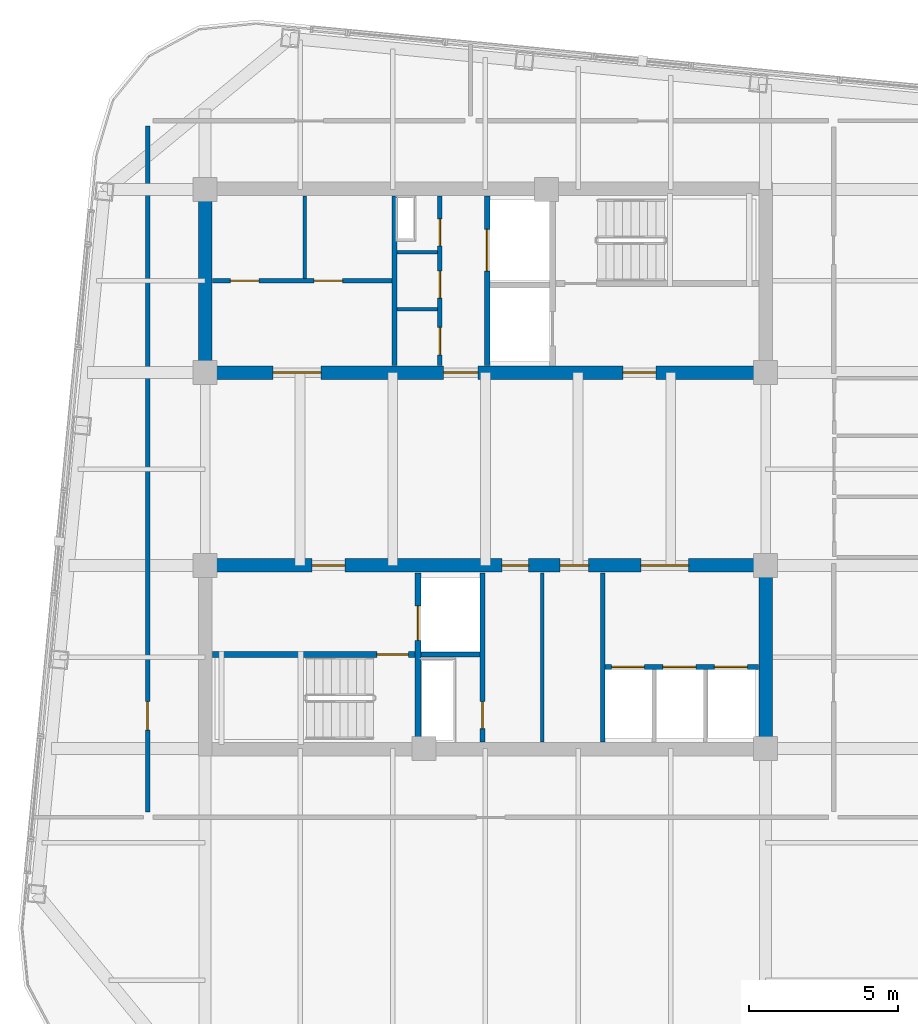
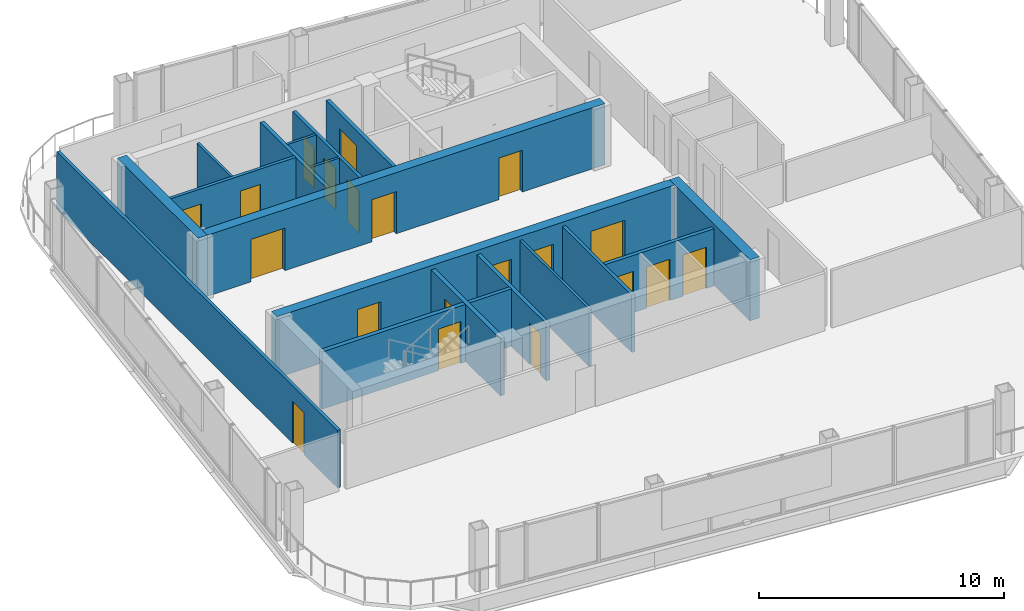
# One storey, part 17 of 22: 20 doors, 19 walls, 20 openings.
"""IFC4 building model written with IfcOpenShell, lengths in metres."""

from ifc_helpers import new_model, si_unit, direction, frame, frame_2d, origin, place, context, subcontext, project, spatial, rectangle, extrude, material, layer, layer_set, type_object, element, fill, save


model = new_model("IFC4")

# Units and contexts
model_context = context("Model", 3, precision=1e-05, world=origin(), true_north=direction((0.0, 1.0)))
body_context = subcontext(model_context, "Body", "Model", "MODEL_VIEW")
ifc_project = project(units=[si_unit("LENGTHUNIT", "METRE"), si_unit("AREAUNIT", "SQUARE_METRE"), si_unit("VOLUMEUNIT", "CUBIC_METRE"), si_unit("PLANEANGLEUNIT", "RADIAN"), si_unit("MASSUNIT", "GRAM", prefix="KILO")], contexts=[model_context])

# Site, building, storey
site_placement = place(None, origin())
site = spatial("IfcSite", under=ifc_project, at=site_placement, CompositionType="ELEMENT")
building_placement = place(site_placement, origin())
building = spatial("IfcBuilding", under=site, at=building_placement, Name="Qhalaya Broadcast Tower", CompositionType="ELEMENT")
storey_placement = place(building_placement, frame((0.0, 0.0, 245.89990234375)))
storey = spatial("IfcBuildingStorey", under=building, at=storey_placement, Name="L72", CompositionType="ELEMENT", Elevation=245.89990234375)

# Wall, openings, doors
ifc_material_1 = material(Name="Gypsum Acoustic Partition")
ifc_layer_1 = layer(ifc_material_1, 0.14990234375, Name="Gypsum Acoustic Partition")
ifc_layer_set_1 = layer_set([ifc_layer_1], Name="Gypsum Acoustic Partition")
wall_type_1 = type_object("IfcWallType", Name="Corridor & Tenancy Acoustic Partition 150", PredefinedType="PARTITIONING", material=ifc_layer_set_1)
wall_1_placement = place(storey_placement, frame((-1.52001953125, 4.070068359375, 0.0), z_axis=(0.0, 0.0, 1.0), x_axis=(0.0, 1.0, 0.0)))
wall_1 = element("IfcWall", 1, at=wall_1_placement, inside=storey, type_object=wall_type_1, Name="L72 Partition Wall NCW-SVL", PredefinedType="PARTITIONING", context=body_context, shape_type="SweptSolid", body=[
    extrude(rectangle(XDim=5.659912109375, YDim=0.14990234375, at=frame_2d((2.830078125, 0.0))), origin(), (0.0, 0.0, 1.0), 2.860107421875),
])
opening_1_placement = place(wall_1_placement, frame((4.0, 0.0, 0.0)))
opening_1 = element("IfcOpeningElement", 2, at=opening_1_placement, cuts=wall_1, Name="Opening D06", PredefinedType="OPENING", context=body_context, shape_type="SweptSolid", body=[
    extrude(rectangle(XDim=0.89990234375, YDim=2.050048828125, at=frame_2d((0.449951171875, 1.02490234375))), frame((0.0, 0.0869140625, 0.0), z_axis=(0.0, -1.0, 0.0), x_axis=(1.0, 0.0, 0.0)), (0.0, 0.0, 1.0), 0.173828125),
])
opening_2_placement = place(wall_1_placement, frame((2.25, 0.0, 0.0)))
opening_2 = element("IfcOpeningElement", 3, at=opening_2_placement, cuts=wall_1, Name="Opening D06", PredefinedType="OPENING", context=body_context, shape_type="SweptSolid", body=[
    extrude(rectangle(XDim=0.89990234375, YDim=2.050048828125, at=frame_2d((0.449951171875, 1.02490234375))), frame((0.0, 0.0869140625, 0.0), z_axis=(0.0, -1.0, 0.0), x_axis=(1.0, 0.0, 0.0)), (0.0, 0.0, 1.0), 0.173828125),
])
opening_3_placement = place(wall_1_placement, frame((0.35009765625, 0.0, 0.0)))
opening_3 = element("IfcOpeningElement", 4, at=opening_3_placement, cuts=wall_1, Name="Opening D12", PredefinedType="OPENING", context=body_context, shape_type="SweptSolid", body=[
    extrude(rectangle(XDim=0.919921875, YDim=2.10009765625, at=frame_2d((0.4599609375, 1.050048828125))), frame((0.0, 0.0869140625, 0.0), z_axis=(0.0, -1.0, 0.0), x_axis=(1.0, 0.0, 0.0)), (0.0, 0.0, 1.0), 0.173828125),
])
ifc_material_2 = material(Name="Timber Veneer Acoustic Door", Category="wood")
door_type_1 = type_object("IfcDoorType", Name="Accessible WC & Restroom Door D12", OperationType="NOTDEFINED", PredefinedType="DOOR", material=ifc_material_2)
door_1_placement = place(opening_3_placement, origin())
door_1 = element("IfcDoor", 5, at=door_1_placement, inside=storey, type_object=door_type_1, Name="L72 Door D-NCWC", OperationType="SINGLE_SWING_RIGHT", OverallHeight=2.10009765625, OverallWidth=0.919921875, PredefinedType="DOOR", context=body_context, shape_type="SweptSolid", body=[
    extrude(rectangle(XDim=0.919921875, YDim=2.10009765625, at=frame_2d((0.4599609375, 1.050048828125))), frame((0.0, 0.02490234375, 0.0), z_axis=(0.0, -1.0, 0.0), x_axis=(1.0, 0.0, 0.0)), (0.0, 0.0, 1.0), 0.050048828125),
])
fill(opening_3, door_1)
ifc_material_3 = material(Name="Fire-Rated Steel Door", Category="steel")
door_type_2 = type_object("IfcDoorType", Name="Riser & Electrical Shaft Access Door D06", OperationType="NOTDEFINED", PredefinedType="DOOR", material=ifc_material_3)
door_2_placement = place(opening_1_placement, origin())
door_2 = element("IfcDoor", 6, at=door_2_placement, inside=storey, type_object=door_type_2, Name="L72 Riser Shaft Access Door D-NRSR", OperationType="SINGLE_SWING_RIGHT", OverallHeight=2.050048828125, OverallWidth=0.89990234375, PredefinedType="DOOR", context=body_context, shape_type="SweptSolid", body=[
    extrude(rectangle(XDim=0.89990234375, YDim=2.050048828125, at=frame_2d((0.449951171875, 1.02490234375))), frame((0.0, 0.02490234375, 0.0), z_axis=(0.0, -1.0, 0.0), x_axis=(1.0, 0.0, 0.0)), (0.0, 0.0, 1.0), 0.050048828125),
])
fill(opening_1, door_2)
door_3_placement = place(opening_2_placement, origin())
door_3 = element("IfcDoor", 7, at=door_3_placement, inside=storey, type_object=door_type_2, Name="L72 Door D-NITR", OperationType="SINGLE_SWING_LEFT", OverallHeight=2.050048828125, OverallWidth=0.89990234375, PredefinedType="DOOR", context=body_context, shape_type="SweptSolid", body=[
    extrude(rectangle(XDim=0.89990234375, YDim=2.050048828125, at=frame_2d((0.449951171875, 1.02490234375))), frame((0.0, 0.02490234375, 0.0), z_axis=(0.0, -1.0, 0.0), x_axis=(1.0, 0.0, 0.0)), (0.0, 0.0, 1.0), 0.050048828125),
])
fill(opening_2, door_3)

wall_2_placement = place(storey_placement, frame((-9.1298828125, 6.89990234375, 0.0), z_axis=(0.0, 0.0, 1.0), x_axis=(1.0, 0.0, 0.0)))
wall_2 = element("IfcWall", 8, at=wall_2_placement, inside=storey, type_object=wall_type_1, Name="L72 Partition Wall NCW-REC1", PredefinedType="PARTITIONING", context=body_context, shape_type="SweptSolid", body=[
    extrude(rectangle(XDim=6.009765625, YDim=0.14990234375, at=frame_2d((3.0048828125, 0.0))), origin(), (0.0, 0.0, 1.0), 2.860107421875),
])
opening_4_placement = place(wall_2_placement, frame((0.60009765625, 0.0, 0.0)))
opening_4 = element("IfcOpeningElement", 9, at=opening_4_placement, cuts=wall_2, Name="Opening D10", PredefinedType="OPENING", context=body_context, shape_type="SweptSolid", body=[
    extrude(rectangle(XDim=0.949951171875, YDim=2.10009765625, at=frame_2d((0.47509765625, 1.050048828125))), frame((0.0, 0.0869140625, 0.0), z_axis=(0.0, -1.0, 0.0), x_axis=(1.0, 0.0, 0.0)), (0.0, 0.0, 1.0), 0.173828125),
])
opening_5_placement = place(wall_2_placement, frame((3.39990234375, 0.0, 0.0)))
opening_5 = element("IfcOpeningElement", 10, at=opening_5_placement, cuts=wall_2, Name="Opening D10", PredefinedType="OPENING", context=body_context, shape_type="SweptSolid", body=[
    extrude(rectangle(XDim=0.949951171875, YDim=2.10009765625, at=frame_2d((0.47509765625, 1.050048828125))), frame((0.0, 0.0869140625, 0.0), z_axis=(0.0, -1.0, 0.0), x_axis=(1.0, 0.0, 0.0)), (0.0, 0.0, 1.0), 0.173828125),
])
door_type_3 = type_object("IfcDoorType", Name="Cellular Office & Edit Booth Door D10", OperationType="NOTDEFINED", PredefinedType="DOOR", material=ifc_material_2)
door_4_placement = place(opening_4_placement, origin())
door_4 = element("IfcDoor", 11, at=door_4_placement, inside=storey, type_object=door_type_3, Name="L72 Door D-NREC1", OperationType="SINGLE_SWING_LEFT", OverallHeight=2.10009765625, OverallWidth=0.949951171875, PredefinedType="DOOR", context=body_context, shape_type="SweptSolid", body=[
    extrude(rectangle(XDim=0.949951171875, YDim=2.10009765625, at=frame_2d((0.47509765625, 1.050048828125))), frame((0.0, 0.02490234375, 0.0), z_axis=(0.0, -1.0, 0.0), x_axis=(1.0, 0.0, 0.0)), (0.0, 0.0, 1.0), 0.050048828125),
])
fill(opening_4, door_4)
door_5_placement = place(opening_5_placement, origin())
door_5 = element("IfcDoor", 12, at=door_5_placement, inside=storey, type_object=door_type_3, Name="L72 Door D-NREC2", OperationType="SINGLE_SWING_RIGHT", OverallHeight=2.10009765625, OverallWidth=0.949951171875, PredefinedType="DOOR", context=body_context, shape_type="SweptSolid", body=[
    extrude(rectangle(XDim=0.949951171875, YDim=2.10009765625, at=frame_2d((0.47509765625, 1.050048828125))), frame((0.0, 0.02490234375, 0.0), z_axis=(0.0, -1.0, 0.0), x_axis=(1.0, 0.0, 0.0)), (0.0, 0.0, 1.0), 0.050048828125),
])
fill(opening_5, door_5)

# Wall
wall_3_placement = place(storey_placement, frame((3.919921875, -8.530029296875, 0.0), z_axis=(0.0, 0.0, 1.0), x_axis=(0.0, 1.0, 0.0)))
element("IfcWall", 13, at=wall_3_placement, inside=storey, type_object=wall_type_1, Name="L72 Partition Wall SCW-HSEP", PredefinedType="PARTITIONING", context=body_context, shape_type="SweptSolid", body=[
    extrude(rectangle(XDim=5.659912109375, YDim=0.14990234375, at=frame_2d((2.830078125, 0.0))), origin(), (0.0, 0.0, 1.0), 2.860107421875),
])

# Wall, opening, door
wall_4_placement = place(storey_placement, frame((-11.300048828125, 12.070068359375, 0.0), z_axis=(0.0, 0.0, 1.0), x_axis=(0.0, -1.0, 0.0)))
wall_4 = element("IfcWall", 14, at=wall_4_placement, inside=storey, type_object=wall_type_1, Name="L72 Partition Wall W-COR-04", PredefinedType="PARTITIONING", context=body_context, shape_type="SweptSolid", body=[
    extrude(rectangle(XDim=22.940185546875, YDim=0.14990234375, at=frame_2d((11.47021484375, 0.0))), origin(), (0.0, 0.0, 1.0), 2.860107421875),
])
opening_6_placement = place(wall_4_placement, frame((19.2529296875, 0.0, 0.0)))
opening_6 = element("IfcOpeningElement", 15, at=opening_6_placement, cuts=wall_4, Name="Opening D10", PredefinedType="OPENING", context=body_context, shape_type="SweptSolid", body=[
    extrude(rectangle(XDim=0.949951171875, YDim=2.10009765625, at=frame_2d((0.47509765625, 1.050048828125))), frame((0.0, 0.0869140625, 0.0), z_axis=(0.0, -1.0, 0.0), x_axis=(1.0, 0.0, 0.0)), (0.0, 0.0, 1.0), 0.173828125),
])
door_6_placement = place(opening_6_placement, origin())
door_6 = element("IfcDoor", 16, at=door_6_placement, inside=storey, type_object=door_type_3, Name="L72 Door D-RM04", OperationType="SINGLE_SWING_LEFT", OverallHeight=2.10009765625, OverallWidth=0.949951171875, PredefinedType="DOOR", context=body_context, shape_type="SweptSolid", body=[
    extrude(rectangle(XDim=0.949951171875, YDim=2.10009765625, at=frame_2d((0.47509765625, 1.050048828125))), frame((0.0, 0.02490234375, 0.0), z_axis=(0.0, -1.0, 0.0), x_axis=(1.0, 0.0, 0.0)), (0.0, 0.0, 1.0), 0.050048828125),
])
fill(opening_6, door_6)

ifc_material_4 = material(Name="Concrete C50/60", Category="concrete")
ifc_layer_2 = layer(ifc_material_4, 0.199951171875, Name="Concrete C50/60")
ifc_layer_set_2 = layer_set([ifc_layer_2], Name="Concrete C50/60")
wall_type_2 = type_object("IfcWallType", Name="Load-Bearing Stair Shaft Wall 200", PredefinedType="SHEAR", material=ifc_layer_set_2)
wall_5_placement = place(storey_placement, frame((-9.1298828125, -5.60498046875, 0.0), z_axis=(0.0, 0.0, 1.0), x_axis=(1.0, 0.0, 0.0)))
wall_5 = element("IfcWall", 17, at=wall_5_placement, inside=storey, type_object=wall_type_2, Name="L72 Stair Core Shear Wall SCW-ST2", PredefinedType="SHEAR", context=body_context, shape_type="SweptSolid", body=[
    extrude(rectangle(XDim=6.769775390625, YDim=0.199951171875, at=frame_2d((3.384765625, 0.0))), origin(), (0.0, 0.0, 1.0), 2.860107421875),
])
opening_7_placement = place(wall_5_placement, frame((5.5, 0.0, 0.0)))
opening_7 = element("IfcOpeningElement", 18, at=opening_7_placement, cuts=wall_5, Name="Opening D03", PredefinedType="OPENING", context=body_context, shape_type="SweptSolid", body=[
    extrude(rectangle(XDim=1.050048828125, YDim=2.080078125, at=frame_2d((0.52490234375, 1.0400390625))), frame((0.0, 0.112060546875, 0.0), z_axis=(0.0, -1.0, 0.0), x_axis=(1.0, 0.0, 0.0)), (0.0, 0.0, 1.0), 0.223876953125),
])
door_type_4 = type_object("IfcDoorType", Name="Core Stair Protected Fire Door D03", OperationType="NOTDEFINED", PredefinedType="DOOR", material=ifc_material_3)
door_7_placement = place(opening_7_placement, origin())
door_7 = element("IfcDoor", 19, at=door_7_placement, inside=storey, type_object=door_type_4, Name="L72 Door D-SST2", OperationType="SINGLE_SWING_RIGHT", OverallHeight=2.080078125, OverallWidth=1.050048828125, PredefinedType="DOOR", context=body_context, shape_type="SweptSolid", body=[
    extrude(rectangle(XDim=1.050048828125, YDim=2.080078125, at=frame_2d((0.52490234375, 1.0400390625))), frame((0.0, 0.02490234375, 0.0), z_axis=(0.0, -1.0, 0.0), x_axis=(1.0, 0.0, 0.0)), (0.0, 0.0, 1.0), 0.050048828125),
])
fill(opening_7, door_7)

wall_6_placement = place(storey_placement, frame((-2.25, -8.530029296875, 0.0), z_axis=(0.0, 0.0, 1.0), x_axis=(0.0, 1.0, 0.0)))
wall_6 = element("IfcWall", 20, at=wall_6_placement, inside=storey, type_object=wall_type_2, Name="L72 Stair Core Shear Wall SCW-FF", PredefinedType="SHEAR", context=body_context, shape_type="SweptSolid", body=[
    extrude(rectangle(XDim=5.659912109375, YDim=0.199951171875, at=frame_2d((2.830078125, 0.0))), origin(), (0.0, 0.0, 1.0), 2.860107421875),
])
opening_8_placement = place(wall_6_placement, frame((3.39990234375, 0.0, 0.0)))
opening_8 = element("IfcOpeningElement", 21, at=opening_8_placement, cuts=wall_6, Name="Opening LD2", PredefinedType="OPENING", context=body_context, shape_type="SweptSolid", body=[
    extrude(rectangle(XDim=1.14990234375, YDim=2.080078125, at=frame_2d((0.574951171875, 1.0400390625))), frame((0.0, 0.112060546875, 0.0), z_axis=(0.0, -1.0, 0.0), x_axis=(1.0, 0.0, 0.0)), (0.0, 0.0, 1.0), 0.223876953125),
])
ifc_material_5 = material(Name="Brushed Stainless Steel Lift Door", Category="steel")
door_type_5 = type_object("IfcDoorType", Name="Firefighting Lift Sliding Landing Door LD2", OperationType="DOUBLE_DOOR_SLIDING", PredefinedType="DOOR", material=ifc_material_5)
door_8_placement = place(opening_8_placement, origin())
door_8 = element("IfcDoor", 22, at=door_8_placement, inside=storey, type_object=door_type_5, Name="L72 Door LD-FF2", OperationType="DOUBLE_DOOR_SLIDING", OverallHeight=2.080078125, OverallWidth=1.14990234375, PredefinedType="DOOR", context=body_context, shape_type="SweptSolid", body=[
    extrude(rectangle(XDim=1.14990234375, YDim=2.080078125, at=frame_2d((0.574951171875, 1.0400390625))), frame((0.0, 0.02490234375, 0.0), z_axis=(0.0, -1.0, 0.0), x_axis=(1.0, 0.0, 0.0)), (0.0, 0.0, 1.0), 0.050048828125),
])
fill(opening_8, door_8)

# Walls
ifc_layer_3 = layer(ifc_material_1, 0.1201171875, Name="Gypsum Acoustic Partition")
ifc_layer_set_3 = layer_set([ifc_layer_3], Name="Gypsum Acoustic Partition")
wall_type_3 = type_object("IfcWallType", Name="Office, Booth & Sanitary Partition 120", PredefinedType="PARTITIONING", material=ifc_layer_set_3)
for number, where, z_axis, x_axis, name in (
    (23, (-2.9599609375, 5.949951171875, 0.0), (0.0, 0.0, 1.0), (1.0, 0.0, 0.0), "L72 Partition Wall NCW-VB1"),
    (24, (-2.9599609375, 7.85009765625, 0.0), (0.0, 0.0, 1.0), (1.0, 0.0, 0.0), "L72 Partition Wall NCW-VB2"),
):
    element("IfcWall", number, at=place(storey_placement, frame(where, z_axis=z_axis, x_axis=x_axis)), inside=storey, type_object=wall_type_3, Name=name, PredefinedType="PARTITIONING", context=body_context, shape_type="SweptSolid", body=[
        extrude(rectangle(XDim=1.35986328125, YDim=0.1201171875, at=frame_2d((0.679931640625, 0.0))), origin(), (0.0, 0.0, 1.0), 2.860107421875),
    ])
wall_7_placement = place(storey_placement, frame((-6.050048828125, 6.97998046875, 0.0), z_axis=(0.0, 0.0, 1.0), x_axis=(0.0, 1.0, 0.0)))
element("IfcWall", 25, at=wall_7_placement, inside=storey, type_object=wall_type_3, Name="L72 Partition Wall NCW-REC2", PredefinedType="PARTITIONING", context=body_context, shape_type="SweptSolid", body=[
    extrude(rectangle(XDim=2.75, YDim=0.1201171875, at=frame_2d((1.375, 0.0))), origin(), (0.0, 0.0, 1.0), 2.860107421875),
])
wall_8_placement = place(storey_placement, frame((1.89990234375, -8.530029296875, 0.0), z_axis=(0.0, 0.0, 1.0), x_axis=(0.0, 1.0, 0.0)))
element("IfcWall", 26, at=wall_8_placement, inside=storey, type_object=wall_type_3, Name="L72 Partition Wall SCW-RKB", PredefinedType="PARTITIONING", context=body_context, shape_type="SweptSolid", body=[
    extrude(rectangle(XDim=5.659912109375, YDim=0.1201171875, at=frame_2d((2.830078125, 0.0))), origin(), (0.0, 0.0, 1.0), 2.860107421875),
])

# Wall, opening, door
ifc_layer_4 = layer(ifc_material_1, 0.175048828125, Name="Gypsum Acoustic Partition")
ifc_layer_set_4 = layer_set([ifc_layer_4], Name="Gypsum Acoustic Partition")
wall_type_4 = type_object("IfcWallType", Name="Shaft & Riser Fire Partition 175", PredefinedType="PARTITIONING", material=ifc_layer_set_4)
wall_9_placement = place(storey_placement, frame((0.06005859375, 4.070068359375, 0.0), z_axis=(0.0, 0.0, 1.0), x_axis=(0.0, 1.0, 0.0)))
wall_9 = element("IfcWall", 27, at=wall_9_placement, inside=storey, type_object=wall_type_4, Name="L72 Partition Wall NCW-SVW", PredefinedType="PARTITIONING", context=body_context, shape_type="SweptSolid", body=[
    extrude(rectangle(XDim=5.659912109375, YDim=0.175048828125, at=frame_2d((2.830078125, 0.0))), origin(), (0.0, 0.0, 1.0), 2.860107421875),
])
opening_9_placement = place(wall_9_placement, frame((3.14990234375, 0.0, 0.0)))
opening_9 = element("IfcOpeningElement", 28, at=opening_9_placement, cuts=wall_9, Name="Opening LD3", PredefinedType="OPENING", context=body_context, shape_type="SweptSolid", body=[
    extrude(rectangle(XDim=1.39990234375, YDim=2.1201171875, at=frame_2d((0.699951171875, 1.06005859375))), frame((0.0, 0.099609375, 0.0), z_axis=(0.0, -1.0, 0.0), x_axis=(1.0, 0.0, 0.0)), (0.0, 0.0, 1.0), 0.198974609375),
])
door_type_6 = type_object("IfcDoorType", Name="Service Lift Wide Sliding Landing Door LD3", OperationType="DOUBLE_DOOR_SLIDING", PredefinedType="DOOR", material=ifc_material_5)
door_9_placement = place(opening_9_placement, origin())
door_9 = element("IfcDoor", 29, at=door_9_placement, inside=storey, type_object=door_type_6, Name="L72 Door LD-SV1", OperationType="DOUBLE_DOOR_SLIDING", OverallHeight=2.1201171875, OverallWidth=1.39990234375, PredefinedType="DOOR", context=body_context, shape_type="SweptSolid", body=[
    extrude(rectangle(XDim=1.39990234375, YDim=2.1201171875, at=frame_2d((0.699951171875, 1.06005859375))), frame((0.0, 0.02490234375, 0.0), z_axis=(0.0, -1.0, 0.0), x_axis=(1.0, 0.0, 0.0)), (0.0, 0.0, 1.0), 0.050048828125),
])
fill(opening_9, door_9)

# Wall
wall_10_placement = place(storey_placement, frame((-3.0400390625, 4.070068359375, 0.0), z_axis=(0.0, 0.0, 1.0), x_axis=(0.0, 1.0, 0.0)))
element("IfcWall", 30, at=wall_10_placement, inside=storey, type_object=wall_type_4, Name="L72 Partition Wall NCW-VRW", PredefinedType="PARTITIONING", context=body_context, shape_type="SweptSolid", body=[
    extrude(rectangle(XDim=5.659912109375, YDim=0.175048828125, at=frame_2d((2.830078125, 0.0))), origin(), (0.0, 0.0, 1.0), 2.860107421875),
])

# Wall, opening, door
wall_11_placement = place(storey_placement, frame((-0.10009765625, -8.530029296875, 0.0), z_axis=(0.0, 0.0, 1.0), x_axis=(0.0, 1.0, 0.0)))
wall_11 = element("IfcWall", 31, at=wall_11_placement, inside=storey, type_object=wall_type_4, Name="L72 Partition Wall SCW-FFE", PredefinedType="PARTITIONING", context=body_context, shape_type="SweptSolid", body=[
    extrude(rectangle(XDim=5.659912109375, YDim=0.175048828125, at=frame_2d((2.830078125, 0.0))), origin(), (0.0, 0.0, 1.0), 2.860107421875),
])
opening_10_placement = place(wall_11_placement, frame((0.449951171875, 0.0, 0.0)))
opening_10 = element("IfcOpeningElement", 32, at=opening_10_placement, cuts=wall_11, Name="Opening D06", PredefinedType="OPENING", context=body_context, shape_type="SweptSolid", body=[
    extrude(rectangle(XDim=0.89990234375, YDim=2.050048828125, at=frame_2d((0.449951171875, 1.02490234375))), frame((0.0, 0.099609375, 0.0), z_axis=(0.0, -1.0, 0.0), x_axis=(1.0, 0.0, 0.0)), (0.0, 0.0, 1.0), 0.198974609375),
])
door_10_placement = place(opening_10_placement, origin())
door_10 = element("IfcDoor", 33, at=door_10_placement, inside=storey, type_object=door_type_2, Name="L72 Riser Shaft Access Door D-SRSR", OperationType="SINGLE_SWING_LEFT", OverallHeight=2.050048828125, OverallWidth=0.89990234375, PredefinedType="DOOR", context=body_context, shape_type="SweptSolid", body=[
    extrude(rectangle(XDim=0.89990234375, YDim=2.050048828125, at=frame_2d((0.449951171875, 1.02490234375))), frame((0.0, 0.02490234375, 0.0), z_axis=(0.0, -1.0, 0.0), x_axis=(1.0, 0.0, 0.0)), (0.0, 0.0, 1.0), 0.050048828125),
])
fill(opening_10, door_10)

# Wall
wall_12_placement = place(storey_placement, frame((-2.14990234375, -5.60009765625, 0.0), z_axis=(0.0, 0.0, 1.0), x_axis=(1.0, 0.0, 0.0)))
element("IfcWall", 34, at=wall_12_placement, inside=storey, type_object=wall_type_4, Name="L72 Partition Wall SCW-FFM", PredefinedType="PARTITIONING", context=body_context, shape_type="SweptSolid", body=[
    extrude(rectangle(XDim=1.969970703125, YDim=0.175048828125, at=frame_2d((0.98486328125, 0.0))), origin(), (0.0, 0.0, 1.0), 2.860107421875),
])

# Wall, openings, doors
wall_13_placement = place(storey_placement, frame((4.0, -6.02001953125, 0.0), z_axis=(0.0, 0.0, 1.0), x_axis=(1.0, 0.0, 0.0)))
wall_13 = element("IfcWall", 35, at=wall_13_placement, inside=storey, type_object=wall_type_4, Name="L72 Partition Wall SCW-SLB", PredefinedType="PARTITIONING", context=body_context, shape_type="SweptSolid", body=[
    extrude(rectangle(XDim=5.1298828125, YDim=0.175048828125, at=frame_2d((2.56494140625, 0.0))), origin(), (0.0, 0.0, 1.0), 2.860107421875),
])
opening_11_placement = place(wall_13_placement, frame((0.219970703125, 0.0, 0.0)))
opening_11 = element("IfcOpeningElement", 36, at=opening_11_placement, cuts=wall_13, Name="Opening LD1", PredefinedType="OPENING", context=body_context, shape_type="SweptSolid", body=[
    extrude(rectangle(XDim=1.10009765625, YDim=2.06005859375, at=frame_2d((0.550048828125, 1.030029296875))), frame((0.0, 0.099609375, 0.0), z_axis=(0.0, -1.0, 0.0), x_axis=(1.0, 0.0, 0.0)), (0.0, 0.0, 1.0), 0.198974609375),
])
opening_12_placement = place(wall_13_placement, frame((1.93994140625, 0.0, 0.0)))
opening_12 = element("IfcOpeningElement", 37, at=opening_12_placement, cuts=wall_13, Name="Opening LD1", PredefinedType="OPENING", context=body_context, shape_type="SweptSolid", body=[
    extrude(rectangle(XDim=1.10009765625, YDim=2.06005859375, at=frame_2d((0.550048828125, 1.030029296875))), frame((0.0, 0.099609375, 0.0), z_axis=(0.0, -1.0, 0.0), x_axis=(1.0, 0.0, 0.0)), (0.0, 0.0, 1.0), 0.198974609375),
])
opening_13_placement = place(wall_13_placement, frame((3.659912109375, 0.0, 0.0)))
opening_13 = element("IfcOpeningElement", 38, at=opening_13_placement, cuts=wall_13, Name="Opening LD1", PredefinedType="OPENING", context=body_context, shape_type="SweptSolid", body=[
    extrude(rectangle(XDim=1.10009765625, YDim=2.06005859375, at=frame_2d((0.550048828125, 1.030029296875))), frame((0.0, 0.099609375, 0.0), z_axis=(0.0, -1.0, 0.0), x_axis=(1.0, 0.0, 0.0)), (0.0, 0.0, 1.0), 0.198974609375),
])
door_type_7 = type_object("IfcDoorType", Name="Passenger Lift Sliding Landing Door LD1", OperationType="DOUBLE_DOOR_SLIDING", PredefinedType="DOOR", material=ifc_material_5)
door_11_placement = place(opening_11_placement, origin())
door_11 = element("IfcDoor", 39, at=door_11_placement, inside=storey, type_object=door_type_7, Name="L72 Door LD-P6", OperationType="DOUBLE_DOOR_SLIDING", OverallHeight=2.06005859375, OverallWidth=1.10009765625, PredefinedType="DOOR", context=body_context, shape_type="SweptSolid", body=[
    extrude(rectangle(XDim=1.10009765625, YDim=2.06005859375, at=frame_2d((0.550048828125, 1.030029296875))), frame((0.0, 0.02490234375, 0.0), z_axis=(0.0, -1.0, 0.0), x_axis=(1.0, 0.0, 0.0)), (0.0, 0.0, 1.0), 0.050048828125),
])
fill(opening_11, door_11)
door_12_placement = place(opening_12_placement, origin())
door_12 = element("IfcDoor", 40, at=door_12_placement, inside=storey, type_object=door_type_7, Name="L72 Door LD-P7", OperationType="DOUBLE_DOOR_SLIDING", OverallHeight=2.06005859375, OverallWidth=1.10009765625, PredefinedType="DOOR", context=body_context, shape_type="SweptSolid", body=[
    extrude(rectangle(XDim=1.10009765625, YDim=2.06005859375, at=frame_2d((0.550048828125, 1.030029296875))), frame((0.0, 0.02490234375, 0.0), z_axis=(0.0, -1.0, 0.0), x_axis=(1.0, 0.0, 0.0)), (0.0, 0.0, 1.0), 0.050048828125),
])
fill(opening_12, door_12)
door_13_placement = place(opening_13_placement, origin())
door_13 = element("IfcDoor", 41, at=door_13_placement, inside=storey, type_object=door_type_7, Name="L72 Door LD-P8", OperationType="DOUBLE_DOOR_SLIDING", OverallHeight=2.06005859375, OverallWidth=1.10009765625, PredefinedType="DOOR", context=body_context, shape_type="SweptSolid", body=[
    extrude(rectangle(XDim=1.10009765625, YDim=2.06005859375, at=frame_2d((0.550048828125, 1.030029296875))), frame((0.0, 0.02490234375, 0.0), z_axis=(0.0, -1.0, 0.0), x_axis=(1.0, 0.0, 0.0)), (0.0, 0.0, 1.0), 0.050048828125),
])
fill(opening_13, door_13)

ifc_layer_5 = layer(ifc_material_4, 0.449951171875, Name="Concrete C50/60")
ifc_layer_set_5 = layer_set([ifc_layer_5], Name="Concrete C50/60")
wall_type_5 = type_object("IfcWallType", Name="Upper Split-Core Shear Wall 450", PredefinedType="SHEAR", material=ifc_layer_set_5)
wall_14_placement = place(storey_placement, frame((-9.60009765625, 3.824951171875, 0.0), z_axis=(0.0, 0.0, 1.0), x_axis=(1.0, 0.0, 0.0)))
wall_14 = element("IfcWall", 42, at=wall_14_placement, inside=storey, type_object=wall_type_5, Name="L72 Split-Core Shear Wall CW-NS", PredefinedType="SHEAR", context=body_context, shape_type="SweptSolid", body=[
    extrude(rectangle(XDim=19.2001953125, YDim=0.449951171875, at=frame_2d((9.60009765625, 0.0))), origin(), (0.0, 0.0, 1.0), 3.050048828125),
])
opening_14_placement = place(wall_14_placement, frame((14.199951171875, 0.0, 0.0)))
opening_14 = element("IfcOpeningElement", 43, at=opening_14_placement, cuts=wall_14, Name="Opening D04", PredefinedType="OPENING", context=body_context, shape_type="SweptSolid", body=[
    extrude(rectangle(XDim=1.10009765625, YDim=2.080078125, at=frame_2d((0.550048828125, 1.0400390625))), frame((0.0, 0.237060546875, 0.0), z_axis=(0.0, -1.0, 0.0), x_axis=(1.0, 0.0, 0.0)), (0.0, 0.0, 1.0), 0.473876953125),
])
opening_15_placement = place(wall_14_placement, frame((8.199951171875, 0.0, 0.0)))
opening_15 = element("IfcOpeningElement", 44, at=opening_15_placement, cuts=wall_14, Name="Opening D05", PredefinedType="OPENING", context=body_context, shape_type="SweptSolid", body=[
    extrude(rectangle(XDim=1.14990234375, YDim=2.10009765625, at=frame_2d((0.574951171875, 1.050048828125))), frame((0.0, 0.237060546875, 0.0), z_axis=(0.0, -1.0, 0.0), x_axis=(1.0, 0.0, 0.0)), (0.0, 0.0, 1.0), 0.473876953125),
])
opening_16_placement = place(wall_14_placement, frame((2.5, 0.0, 0.0)))
opening_16 = element("IfcOpeningElement", 45, at=opening_16_placement, cuts=wall_14, Name="Opening D07", PredefinedType="OPENING", context=body_context, shape_type="SweptSolid", body=[
    extrude(rectangle(XDim=1.60009765625, YDim=2.1201171875, at=frame_2d((0.800048828125, 1.06005859375))), frame((0.0, 0.237060546875, 0.0), z_axis=(0.0, -1.0, 0.0), x_axis=(1.0, 0.0, 0.0)), (0.0, 0.0, 1.0), 0.473876953125),
])
door_type_8 = type_object("IfcDoorType", Name="Firefighting Lobby Rated Door D04", OperationType="NOTDEFINED", PredefinedType="DOOR", material=ifc_material_3)
door_14_placement = place(opening_14_placement, origin())
door_14 = element("IfcDoor", 46, at=door_14_placement, inside=storey, type_object=door_type_8, Name="L72 Door D-NFF", OperationType="SINGLE_SWING_RIGHT", OverallHeight=2.080078125, OverallWidth=1.10009765625, PredefinedType="DOOR", context=body_context, shape_type="SweptSolid", body=[
    extrude(rectangle(XDim=1.10009765625, YDim=2.080078125, at=frame_2d((0.550048828125, 1.0400390625))), frame((0.0, 0.02490234375, 0.0), z_axis=(0.0, -1.0, 0.0), x_axis=(1.0, 0.0, 0.0)), (0.0, 0.0, 1.0), 0.050048828125),
])
fill(opening_14, door_14)
ifc_material_6 = material(Name="Anodised Aluminium Glazed Door", Category="aluminium")
door_type_9 = type_object("IfcDoorType", Name="Passenger Lift Lobby Double Glazed Door D07", OperationType="DOUBLE_DOOR_SINGLE_SWING", PredefinedType="DOOR", material=ifc_material_6)
door_15_placement = place(opening_16_placement, origin())
door_15 = element("IfcDoor", 47, at=door_15_placement, inside=storey, type_object=door_type_9, Name="L72 Door D-NRECV", OperationType="DOUBLE_DOOR_SINGLE_SWING", OverallHeight=2.1201171875, OverallWidth=1.60009765625, PredefinedType="DOOR", context=body_context, shape_type="SweptSolid", body=[
    extrude(rectangle(XDim=1.60009765625, YDim=2.1201171875, at=frame_2d((0.800048828125, 1.06005859375))), frame((0.0, 0.02490234375, 0.0), z_axis=(0.0, -1.0, 0.0), x_axis=(1.0, 0.0, 0.0)), (0.0, 0.0, 1.0), 0.050048828125),
])
fill(opening_16, door_15)
door_type_10 = type_object("IfcDoorType", Name="Refuge & Plant Room Fire Door D05", OperationType="NOTDEFINED", PredefinedType="DOOR", material=ifc_material_3)
door_16_placement = place(opening_15_placement, origin())
door_16 = element("IfcDoor", 48, at=door_16_placement, inside=storey, type_object=door_type_10, Name="L72 Door D-NSVL", OperationType="SINGLE_SWING_LEFT", OverallHeight=2.10009765625, OverallWidth=1.14990234375, PredefinedType="DOOR", context=body_context, shape_type="SweptSolid", body=[
    extrude(rectangle(XDim=1.14990234375, YDim=2.10009765625, at=frame_2d((0.574951171875, 1.050048828125))), frame((0.0, 0.02490234375, 0.0), z_axis=(0.0, -1.0, 0.0), x_axis=(1.0, 0.0, 0.0)), (0.0, 0.0, 1.0), 0.050048828125),
])
fill(opening_15, door_16)

# Wall
wall_15_placement = place(storey_placement, frame((-9.375, 3.60009765625, 0.0), z_axis=(0.0, 0.0, 1.0), x_axis=(0.0, 1.0, 0.0)))
element("IfcWall", 49, at=wall_15_placement, inside=storey, type_object=wall_type_5, Name="L72 Split-Core Shear Wall CW-NW", PredefinedType="SHEAR", context=body_context, shape_type="SweptSolid", body=[
    extrude(rectangle(XDim=6.599853515625, YDim=0.449951171875, at=frame_2d((3.2998046875, 0.0))), origin(), (0.0, 0.0, 1.0), 3.050048828125),
])

# Wall, openings, doors
wall_16_placement = place(storey_placement, frame((-9.60009765625, -2.625, 0.0), z_axis=(0.0, 0.0, 1.0), x_axis=(1.0, 0.0, 0.0)))
wall_16 = element("IfcWall", 50, at=wall_16_placement, inside=storey, type_object=wall_type_5, Name="L72 Split-Core Shear Wall CW-SN", PredefinedType="SHEAR", context=body_context, shape_type="SweptSolid", body=[
    extrude(rectangle(XDim=19.2001953125, YDim=0.449951171875, at=frame_2d((9.60009765625, 0.0))), origin(), (0.0, 0.0, 1.0), 3.050048828125),
])
opening_17_placement = place(wall_16_placement, frame((3.800048828125, 0.0, 0.0)))
opening_17 = element("IfcOpeningElement", 51, at=opening_17_placement, cuts=wall_16, Name="Opening D04", PredefinedType="OPENING", context=body_context, shape_type="SweptSolid", body=[
    extrude(rectangle(XDim=1.10009765625, YDim=2.080078125, at=frame_2d((0.550048828125, 1.0400390625))), frame((0.0, 0.237060546875, 0.0), z_axis=(0.0, -1.0, 0.0), x_axis=(1.0, 0.0, 0.0)), (0.0, 0.0, 1.0), 0.473876953125),
])
opening_18_placement = place(wall_16_placement, frame((10.14990234375, 0.0, 0.0)))
opening_18 = element("IfcOpeningElement", 52, at=opening_18_placement, cuts=wall_16, Name="Opening D06", PredefinedType="OPENING", context=body_context, shape_type="SweptSolid", body=[
    extrude(rectangle(XDim=0.89990234375, YDim=2.050048828125, at=frame_2d((0.449951171875, 1.02490234375))), frame((0.0, 0.237060546875, 0.0), z_axis=(0.0, -1.0, 0.0), x_axis=(1.0, 0.0, 0.0)), (0.0, 0.0, 1.0), 0.473876953125),
])
opening_19_placement = place(wall_16_placement, frame((12.10009765625, 0.0, 0.0)))
opening_19 = element("IfcOpeningElement", 53, at=opening_19_placement, cuts=wall_16, Name="Opening D10", PredefinedType="OPENING", context=body_context, shape_type="SweptSolid", body=[
    extrude(rectangle(XDim=0.949951171875, YDim=2.10009765625, at=frame_2d((0.47509765625, 1.050048828125))), frame((0.0, 0.237060546875, 0.0), z_axis=(0.0, -1.0, 0.0), x_axis=(1.0, 0.0, 0.0)), (0.0, 0.0, 1.0), 0.473876953125),
])
opening_20_placement = place(wall_16_placement, frame((14.800048828125, 0.0, 0.0)))
opening_20 = element("IfcOpeningElement", 54, at=opening_20_placement, cuts=wall_16, Name="Opening D07", PredefinedType="OPENING", context=body_context, shape_type="SweptSolid", body=[
    extrude(rectangle(XDim=1.60009765625, YDim=2.1201171875, at=frame_2d((0.800048828125, 1.06005859375))), frame((0.0, 0.237060546875, 0.0), z_axis=(0.0, -1.0, 0.0), x_axis=(1.0, 0.0, 0.0)), (0.0, 0.0, 1.0), 0.473876953125),
])
door_17_placement = place(opening_19_placement, origin())
door_17 = element("IfcDoor", 55, at=door_17_placement, inside=storey, type_object=door_type_3, Name="L72 Door D-SREC2", OperationType="SINGLE_SWING_RIGHT", OverallHeight=2.10009765625, OverallWidth=0.949951171875, PredefinedType="DOOR", context=body_context, shape_type="SweptSolid", body=[
    extrude(rectangle(XDim=0.949951171875, YDim=2.10009765625, at=frame_2d((0.47509765625, 1.050048828125))), frame((0.0, 0.02490234375, 0.0), z_axis=(0.0, -1.0, 0.0), x_axis=(1.0, 0.0, 0.0)), (0.0, 0.0, 1.0), 0.050048828125),
])
fill(opening_19, door_17)
door_18_placement = place(opening_17_placement, origin())
door_18 = element("IfcDoor", 56, at=door_18_placement, inside=storey, type_object=door_type_8, Name="L72 Door D-SFF", OperationType="SINGLE_SWING_LEFT", OverallHeight=2.080078125, OverallWidth=1.10009765625, PredefinedType="DOOR", context=body_context, shape_type="SweptSolid", body=[
    extrude(rectangle(XDim=1.10009765625, YDim=2.080078125, at=frame_2d((0.550048828125, 1.0400390625))), frame((0.0, 0.02490234375, 0.0), z_axis=(0.0, -1.0, 0.0), x_axis=(1.0, 0.0, 0.0)), (0.0, 0.0, 1.0), 0.050048828125),
])
fill(opening_17, door_18)
door_19_placement = place(opening_20_placement, origin())
door_19 = element("IfcDoor", 57, at=door_19_placement, inside=storey, type_object=door_type_9, Name="L72 Door D-SPLL", OperationType="DOUBLE_DOOR_SINGLE_SWING", OverallHeight=2.1201171875, OverallWidth=1.60009765625, PredefinedType="DOOR", context=body_context, shape_type="SweptSolid", body=[
    extrude(rectangle(XDim=1.60009765625, YDim=2.1201171875, at=frame_2d((0.800048828125, 1.06005859375))), frame((0.0, 0.02490234375, 0.0), z_axis=(0.0, -1.0, 0.0), x_axis=(1.0, 0.0, 0.0)), (0.0, 0.0, 1.0), 0.050048828125),
])
fill(opening_20, door_19)
door_20_placement = place(opening_18_placement, origin())
door_20 = element("IfcDoor", 58, at=door_20_placement, inside=storey, type_object=door_type_2, Name="L72 Door D-SREC1", OperationType="SINGLE_SWING_LEFT", OverallHeight=2.050048828125, OverallWidth=0.89990234375, PredefinedType="DOOR", context=body_context, shape_type="SweptSolid", body=[
    extrude(rectangle(XDim=0.89990234375, YDim=2.050048828125, at=frame_2d((0.449951171875, 1.02490234375))), frame((0.0, 0.02490234375, 0.0), z_axis=(0.0, -1.0, 0.0), x_axis=(1.0, 0.0, 0.0)), (0.0, 0.0, 1.0), 0.050048828125),
])
fill(opening_18, door_20)

# Wall
wall_17_placement = place(storey_placement, frame((9.375, -9.0, 0.0), z_axis=(0.0, 0.0, 1.0), x_axis=(0.0, 1.0, 0.0)))
element("IfcWall", 59, at=wall_17_placement, inside=storey, type_object=wall_type_5, Name="L72 Split-Core Shear Wall CW-SE", PredefinedType="SHEAR", context=body_context, shape_type="SweptSolid", body=[
    extrude(rectangle(XDim=6.60009765625, YDim=0.449951171875, at=frame_2d((3.300048828125, 0.0))), origin(), (0.0, 0.0, 1.0), 3.050048828125),
])

save(model, "model.ifc")
